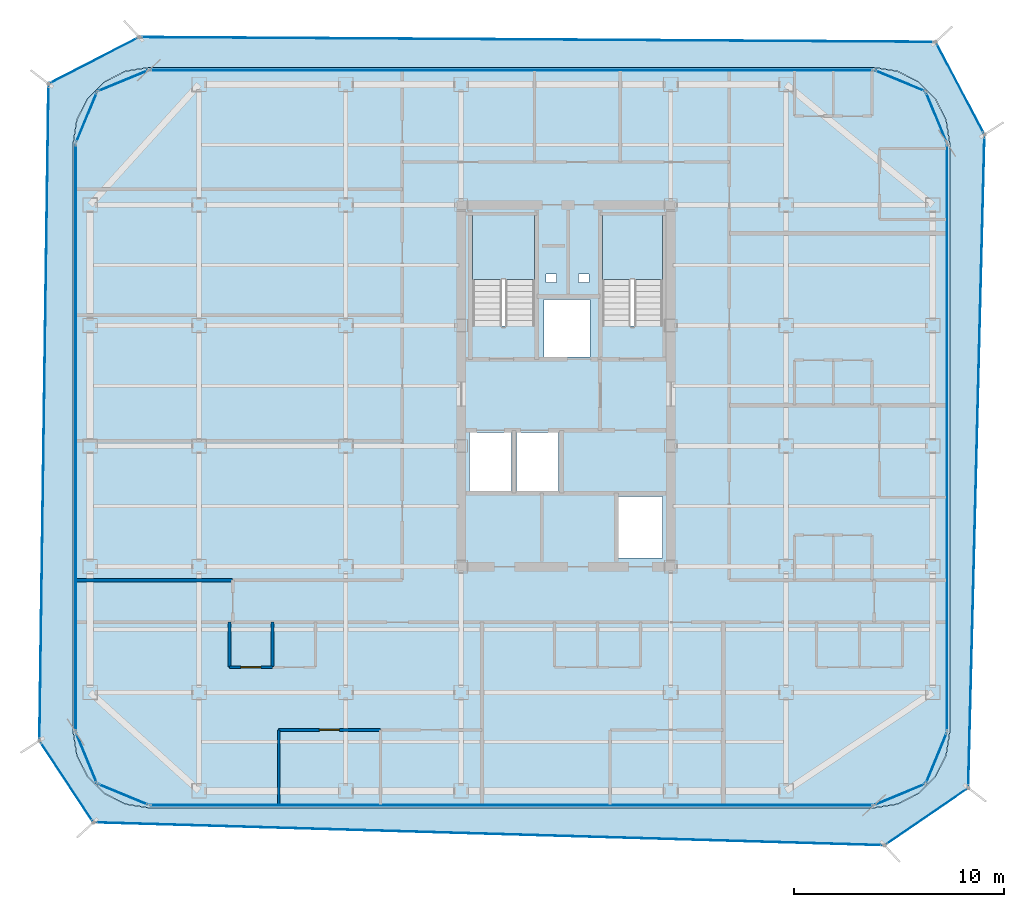
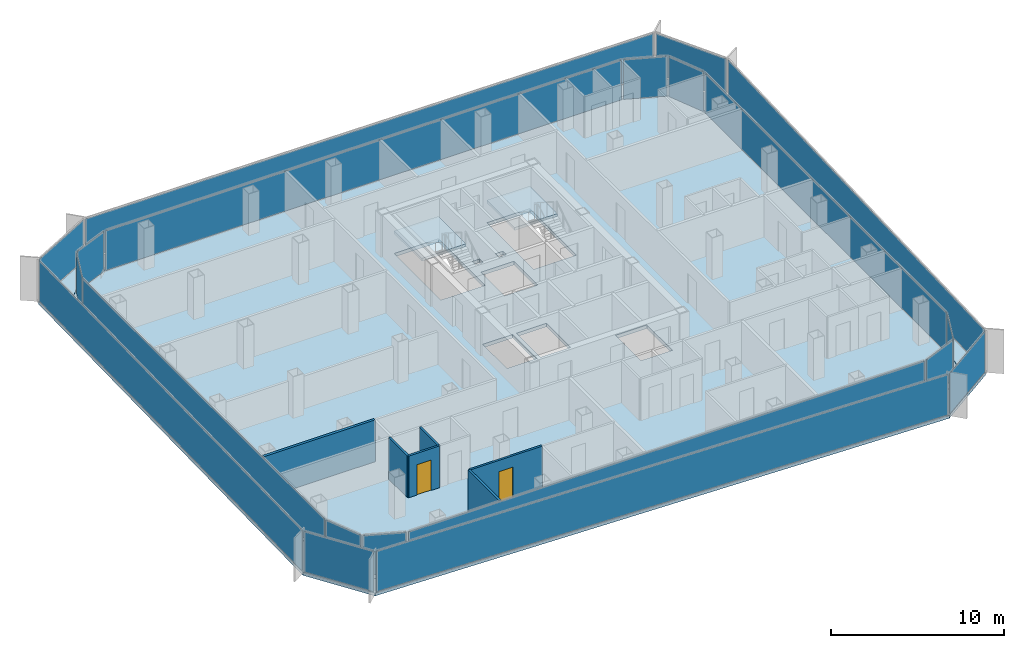
# One storey, part 9 of 15: 20 plates, 6 walls, 4 slabs, 2 doors, 2 openings, 22 elements without a shape of their own.
"""IFC4 building model written with IfcOpenShell, lengths in metres."""

from ifc_helpers import new_model, si_unit, direction, frame, frame_2d, origin, origin_2d, place, context, subcontext, project, spatial, polyline, rectangle, outline, extrude, source, transform, mapped, material, layer, layer_set, type_object, element, fill, aggregate, save


model = new_model("IFC4")

# Units and contexts
model_context = context("Model", 3, precision=1e-05, world=origin(), true_north=direction((0.0, 1.0)))
body_context = subcontext(model_context, "Body", "Model", "MODEL_VIEW")
ifc_project = project(units=[si_unit("LENGTHUNIT", "METRE"), si_unit("AREAUNIT", "SQUARE_METRE"), si_unit("VOLUMEUNIT", "CUBIC_METRE"), si_unit("PLANEANGLEUNIT", "RADIAN"), si_unit("MASSUNIT", "GRAM", prefix="KILO")], contexts=[model_context])

# Site, building, storey
site_placement = place(None, origin())
site = spatial("IfcSite", under=ifc_project, at=site_placement, CompositionType="ELEMENT")
building_placement = place(site_placement, origin())
building = spatial("IfcBuilding", under=site, at=building_placement, Name="Kolveth Station Tower", CompositionType="ELEMENT")
storey_placement = place(building_placement, frame((0.0, 0.0, 202.800048828125)))
storey = spatial("IfcBuildingStorey", under=building, at=storey_placement, Name="L57", CompositionType="ELEMENT", Elevation=202.800048828125)

# Slab
ifc_material_1 = material(Name="Concrete C40/50", Category="concrete")
ifc_layer_1 = layer(ifc_material_1, 0.25)
ifc_layer_set_1 = layer_set([ifc_layer_1], Name="Concrete C40/50")
slab_type_1 = type_object("IfcSlabType", Name="Slab_SF-250", PredefinedType="FLOOR", material=ifc_layer_set_1)
slab_1_placement = place(storey_placement, frame((0.0, 0.0, -0.25)))
element("IfcSlab", 1, at=slab_1_placement, inside=storey, type_object=slab_type_1, Name="L57 Tower Structural Floor Slab", PredefinedType="FLOOR", context=body_context, shape_type="SweptSolid", body=[
    extrude(outline(polyline([(38.199951171875, 0.0), (39.3125, 0.17626953125), (40.31591796875, 0.6875), (41.112548828125, 1.48388671875), (41.623779296875, 2.487548828125), (41.800048828125, 3.60009765625), (41.800048828125, 31.699951171875), (41.623779296875, 32.8125), (41.112548828125, 33.81591796875), (40.31591796875, 34.612548828125), (39.3125, 35.123779296875), (38.199951171875, 35.300048828125), (3.60009765625, 35.300048828125), (2.487548828125, 35.123779296875), (1.48388671875, 34.612548828125), (0.6875, 33.81591796875), (0.17626953125, 32.8125), (0.0, 31.699951171875), (0.0, 3.60009765625), (0.17626953125, 2.487548828125), (0.6875, 1.48388671875), (1.48388671875, 0.6875), (2.487548828125, 0.17626953125), (3.60009765625, 0.0), (38.199951171875, 0.0)]), holes=[polyline([(19.0400390625, 22.985107421875), (22.0, 22.985107421875), (22.0, 28.39990234375), (19.0400390625, 28.39990234375), (19.0400390625, 22.985107421875)]), polyline([(25.239990234375, 22.985107421875), (28.10009765625, 22.985107421875), (28.10009765625, 28.39990234375), (25.239990234375, 28.39990234375), (25.239990234375, 22.985107421875)]), polyline([(18.89990234375, 15.10009765625), (20.89990234375, 15.10009765625), (20.89990234375, 17.89990234375), (18.89990234375, 17.89990234375), (18.89990234375, 15.10009765625)]), polyline([(21.14990234375, 15.10009765625), (23.14990234375, 15.10009765625), (23.14990234375, 17.89990234375), (21.14990234375, 17.89990234375), (21.14990234375, 15.10009765625)]), polyline([(22.449951171875, 21.5), (24.64990234375, 21.5), (24.64990234375, 24.25), (22.449951171875, 24.25), (22.449951171875, 21.5)]), polyline([(26.0, 11.89990234375), (28.10009765625, 11.89990234375), (28.10009765625, 14.85009765625), (26.0, 14.85009765625), (26.0, 11.89990234375)]), polyline([(22.550048828125, 25.050048828125), (23.050048828125, 25.050048828125), (23.050048828125, 25.449951171875), (22.550048828125, 25.449951171875), (22.550048828125, 25.050048828125)]), polyline([(24.10009765625, 25.050048828125), (24.60009765625, 25.050048828125), (24.60009765625, 25.449951171875), (24.10009765625, 25.449951171875), (24.10009765625, 25.050048828125)])]), origin(), (0.0, 0.0, 1.0), 0.25),
])

# Stair, slab
stair_type_1 = type_object("IfcStairType", Name="Stair_ST2", PredefinedType="HALF_TURN_STAIR", material=ifc_material_1)
stair_1_placement = place(storey_placement, origin())
stair_1 = element("IfcStair", 2, at=stair_1_placement, inside=storey, type_object=stair_type_1, Name="L57 Tower Exit Stair ST2", PredefinedType="HALF_TURN_STAIR")
ifc_layer_2 = layer(ifc_material_1, 0.18994140625)
ifc_layer_set_2 = layer_set([ifc_layer_2], Name="Concrete C40/50")
slab_type_2 = type_object("IfcSlabType", Name="Slab_SL-190", PredefinedType="LANDING", material=ifc_layer_set_2)
slab_2_placement = place(storey_placement, frame((0.0, 0.0, 1.39990234375)))
slab_2 = element("IfcSlab", 3, at=slab_2_placement, type_object=slab_type_2, Name="ST2 landing 1", PredefinedType="LANDING", context=body_context, shape_type="SweptSolid", body=[
    extrude(outline(polyline([(28.10009765625, 25.18994140625), (28.10009765625, 28.39990234375), (25.239990234375, 28.39990234375), (25.239990234375, 25.18994140625), (28.10009765625, 25.18994140625)])), origin(), (0.0, 0.0, 1.0), 0.199951171875),
])
aggregate(stair_1, [slab_2])

stair_type_2 = type_object("IfcStairType", Name="Stair_ST1", PredefinedType="HALF_TURN_STAIR", material=ifc_material_1)
stair_2_placement = place(storey_placement, origin())
stair_2 = element("IfcStair", 4, at=stair_2_placement, inside=storey, type_object=stair_type_2, Name="L57 Tower Exit Stair ST1", PredefinedType="HALF_TURN_STAIR")
ifc_layer_3 = layer(ifc_material_1, 0.205078125)
ifc_layer_set_3 = layer_set([ifc_layer_3], Name="Concrete C40/50")
slab_type_3 = type_object("IfcSlabType", Name="Slab_SL-205", PredefinedType="LANDING", material=ifc_layer_set_3)
slab_3_placement = place(storey_placement, frame((0.0, 0.0, 1.39990234375)))
slab_3 = element("IfcSlab", 5, at=slab_3_placement, type_object=slab_type_3, Name="ST1 landing 1", PredefinedType="LANDING", context=body_context, shape_type="SweptSolid", body=[
    extrude(outline(polyline([(22.0, 25.18994140625), (22.0, 28.39990234375), (19.0400390625, 28.39990234375), (19.0400390625, 25.18994140625), (22.0, 25.18994140625)])), origin(), (0.0, 0.0, 1.0), 0.199951171875),
])
aggregate(stair_2, [slab_3])

# Slab
ifc_layer_4 = layer(ifc_material_1, 0.2099609375)
ifc_layer_set_4 = layer_set([ifc_layer_4], Name="Concrete C40/50")
slab_type_4 = type_object("IfcSlabType", Name="Slab_ST-210", PredefinedType="FLOOR", material=ifc_layer_set_4)
slab_4_placement = place(storey_placement, frame((0.0, 0.0, -0.2099609375)))
element("IfcSlab", 6, at=slab_4_placement, inside=storey, type_object=slab_type_4, Name="L57 Double-Skin Cavity Structural Ledger Ring", PredefinedType="FLOOR", context=body_context, shape_type="SweptSolid", body=[
    extrude(outline(polyline([(0.960205078125, -0.70361328125), (-1.614501953125, 3.194091796875), (-1.180419921875, 34.52685546875), (3.1455078125, 36.755615234375), (41.13818359375, 36.526123046875), (43.466796875, 32.1123046875), (42.691162109375, 0.939453125), (38.6962890625, -1.794921875), (0.960205078125, -0.70361328125)]), holes=[polyline([(38.202392578125, -0.014892578125), (39.314697265625, 0.161376953125), (39.3193359375, 0.162841796875), (40.32275390625, 0.674072265625), (40.32666015625, 0.677001953125), (41.123046875, 1.473388671875), (41.1259765625, 1.477294921875), (41.63720703125, 2.480712890625), (41.638671875, 2.485107421875), (41.814697265625, 3.59765625), (41.81494140625, 3.60009765625), (41.81494140625, 31.699951171875), (41.814697265625, 31.702392578125), (41.638671875, 32.814697265625), (41.63720703125, 32.8193359375), (41.1259765625, 33.82275390625), (41.123046875, 33.82666015625), (40.32666015625, 34.623046875), (40.32275390625, 34.6259765625), (39.3193359375, 35.13720703125), (39.314697265625, 35.138671875), (38.202392578125, 35.314697265625), (38.199951171875, 35.31494140625), (3.60009765625, 35.31494140625), (3.59765625, 35.314697265625), (2.485107421875, 35.138671875), (2.480712890625, 35.13720703125), (1.477294921875, 34.6259765625), (1.473388671875, 34.623046875), (0.677001953125, 33.82666015625), (0.674072265625, 33.82275390625), (0.162841796875, 32.8193359375), (0.161376953125, 32.814697265625), (-0.014892578125, 31.702392578125), (-0.014892578125, 31.699951171875), (-0.014892578125, 3.60009765625), (-0.014892578125, 3.59765625), (0.161376953125, 2.485107421875), (0.162841796875, 2.480712890625), (0.674072265625, 1.477294921875), (0.677001953125, 1.473388671875), (1.473388671875, 0.677001953125), (1.477294921875, 0.674072265625), (2.480712890625, 0.162841796875), (2.485107421875, 0.161376953125), (3.59765625, -0.014892578125), (3.60009765625, -0.014892578125), (38.199951171875, -0.014892578125), (38.202392578125, -0.014892578125)])]), origin(), (0.0, 0.0, 1.0), 0.2099609375),
])

# Curtain wall, plate
ifc_material_2 = material(Name="Aluminium 6063-T6 and low-E dark glass", Category="aluminium")
ifc_layer_5 = layer(ifc_material_2, 0.18994140625)
ifc_layer_set_5 = layer_set([ifc_layer_5], Name="Aluminium 6063-T6 and low-E dark glass")
curtain_wall_type_1 = type_object("IfcCurtainWallType", Name="CurtainWall_CW-Z2", PredefinedType="NOTDEFINED", material=ifc_layer_set_5)
curtain_wall_1_placement = place(storey_placement, origin())
curtain_wall_1 = element("IfcCurtainWall", 7, at=curtain_wall_1_placement, inside=storey, type_object=curtain_wall_type_1, Name="L57 Inner Thermal Curtain Wall 1", PredefinedType="NOTDEFINED")
ifc_material_3 = material(Name="Architectural low-E dark glass", Category="glass")
ifc_layer_6 = layer(ifc_material_3, 0.0380859375)
ifc_layer_set_6 = layer_set([ifc_layer_6], Name="Architectural low-E dark glass")
plate_type_1 = type_object("IfcPlateType", Name="Panel_GL2", PredefinedType="CURTAIN_PANEL", material=ifc_layer_set_6)
shared_shape_1 = source(origin(), body_context, "Body", "SweptSolid", [
    extrude(rectangle(XDim=2.517578125, YDim=0.0380859375, at=origin_2d()), origin(), (0.0, 0.0, 1.0), 2.803955078125),
])
plate_1_placement = place(storey_placement, frame((39.430419921875, 0.629638671875, 0.07275390625), z_axis=(0.0, 0.0, 1.0), x_axis=(0.923873600544, 0.382697753087, 0.0)))
plate_1 = element("IfcPlate", 8, at=plate_1_placement, type_object=plate_type_1, Name="CW-Z2 panel 1.1", PredefinedType="CURTAIN_PANEL", context=body_context, shape_type="MappedRepresentation", body=[
    mapped(shared_shape_1, transform((0.0, 0.0, 0.0), x_axis=(1.0, 0.0, 0.0), y_axis=(0.0, 1.0, 0.0), z_axis=(0.0, 0.0, 1.0), scale=1.0)),
])
aggregate(curtain_wall_1, [plate_1])

curtain_wall_2_placement = place(storey_placement, origin())
curtain_wall_2 = element("IfcCurtainWall", 9, at=curtain_wall_2_placement, inside=storey, type_object=curtain_wall_type_1, Name="L57 Inner Thermal Curtain Wall 2", PredefinedType="NOTDEFINED")
plate_2_placement = place(storey_placement, frame((41.17041015625, 2.36962890625, 0.07275390625), z_axis=(0.0, 0.0, 1.0), x_axis=(0.382697753087, 0.923873600544, 0.0)))
plate_2 = element("IfcPlate", 10, at=plate_2_placement, type_object=plate_type_1, Name="CW-Z2 panel 1.1", PredefinedType="CURTAIN_PANEL", context=body_context, shape_type="MappedRepresentation", body=[
    mapped(shared_shape_1, transform((0.0, 0.0, 0.0), x_axis=(1.0, 0.0, 0.0), y_axis=(0.0, 1.0, 0.0), z_axis=(0.0, 0.0, 1.0), scale=1.0)),
])
aggregate(curtain_wall_2, [plate_2])

curtain_wall_3_placement = place(storey_placement, origin())
curtain_wall_3 = element("IfcCurtainWall", 11, at=curtain_wall_3_placement, inside=storey, type_object=curtain_wall_type_1, Name="L57 Inner Thermal Curtain Wall 4", PredefinedType="NOTDEFINED")
plate_3_placement = place(storey_placement, frame((41.17041015625, 32.930419921875, 0.07275390625), z_axis=(0.0, 0.0, 1.0), x_axis=(-0.382697753087, 0.923873600544, 0.0)))
plate_3 = element("IfcPlate", 12, at=plate_3_placement, type_object=plate_type_1, Name="CW-Z2 panel 1.1", PredefinedType="CURTAIN_PANEL", context=body_context, shape_type="MappedRepresentation", body=[
    mapped(shared_shape_1, transform((0.0, 0.0, 0.0), x_axis=(1.0, 0.0, 0.0), y_axis=(0.0, 1.0, 0.0), z_axis=(0.0, 0.0, 1.0), scale=1.0)),
])
aggregate(curtain_wall_3, [plate_3])

curtain_wall_4_placement = place(storey_placement, origin())
curtain_wall_4 = element("IfcCurtainWall", 13, at=curtain_wall_4_placement, inside=storey, type_object=curtain_wall_type_1, Name="L57 Inner Thermal Curtain Wall 5", PredefinedType="NOTDEFINED")
plate_4_placement = place(storey_placement, frame((39.430419921875, 34.67041015625, 0.07275390625), z_axis=(0.0, 0.0, 1.0), x_axis=(-0.923873600544, 0.382697753087, 0.0)))
plate_4 = element("IfcPlate", 14, at=plate_4_placement, type_object=plate_type_1, Name="CW-Z2 panel 1.1", PredefinedType="CURTAIN_PANEL", context=body_context, shape_type="MappedRepresentation", body=[
    mapped(shared_shape_1, transform((0.0, 0.0, 0.0), x_axis=(1.0, 0.0, 0.0), y_axis=(0.0, 1.0, 0.0), z_axis=(0.0, 0.0, 1.0), scale=1.0)),
])
aggregate(curtain_wall_4, [plate_4])

curtain_wall_5_placement = place(storey_placement, origin())
curtain_wall_5 = element("IfcCurtainWall", 15, at=curtain_wall_5_placement, inside=storey, type_object=curtain_wall_type_1, Name="L57 Inner Thermal Curtain Wall 7", PredefinedType="NOTDEFINED")
plate_5_placement = place(storey_placement, frame((2.36962890625, 34.67041015625, 0.07275390625), z_axis=(0.0, 0.0, 1.0), x_axis=(-0.923873600544, -0.382697753087, 0.0)))
plate_5 = element("IfcPlate", 16, at=plate_5_placement, type_object=plate_type_1, Name="CW-Z2 panel 1.1", PredefinedType="CURTAIN_PANEL", context=body_context, shape_type="MappedRepresentation", body=[
    mapped(shared_shape_1, transform((0.0, 0.0, 0.0), x_axis=(1.0, 0.0, 0.0), y_axis=(0.0, 1.0, 0.0), z_axis=(0.0, 0.0, 1.0), scale=1.0)),
])
aggregate(curtain_wall_5, [plate_5])

curtain_wall_6_placement = place(storey_placement, origin())
curtain_wall_6 = element("IfcCurtainWall", 17, at=curtain_wall_6_placement, inside=storey, type_object=curtain_wall_type_1, Name="L57 Inner Thermal Curtain Wall 8", PredefinedType="NOTDEFINED")
plate_6_placement = place(storey_placement, frame((0.629638671875, 32.930419921875, 0.07275390625), z_axis=(0.0, 0.0, 1.0), x_axis=(-0.382697753087, -0.923873600544, 0.0)))
plate_6 = element("IfcPlate", 18, at=plate_6_placement, type_object=plate_type_1, Name="CW-Z2 panel 1.1", PredefinedType="CURTAIN_PANEL", context=body_context, shape_type="MappedRepresentation", body=[
    mapped(shared_shape_1, transform((0.0, 0.0, 0.0), x_axis=(1.0, 0.0, 0.0), y_axis=(0.0, 1.0, 0.0), z_axis=(0.0, 0.0, 1.0), scale=1.0)),
])
aggregate(curtain_wall_6, [plate_6])

curtain_wall_7_placement = place(storey_placement, origin())
curtain_wall_7 = element("IfcCurtainWall", 19, at=curtain_wall_7_placement, inside=storey, type_object=curtain_wall_type_1, Name="L57 Inner Thermal Curtain Wall 10", PredefinedType="NOTDEFINED")
plate_7_placement = place(storey_placement, frame((0.629638671875, 2.36962890625, 0.07275390625), z_axis=(0.0, 0.0, 1.0), x_axis=(0.382697753087, -0.923873600544, 0.0)))
plate_7 = element("IfcPlate", 20, at=plate_7_placement, type_object=plate_type_1, Name="CW-Z2 panel 1.1", PredefinedType="CURTAIN_PANEL", context=body_context, shape_type="MappedRepresentation", body=[
    mapped(shared_shape_1, transform((0.0, 0.0, 0.0), x_axis=(1.0, 0.0, 0.0), y_axis=(0.0, 1.0, 0.0), z_axis=(0.0, 0.0, 1.0), scale=1.0)),
])
aggregate(curtain_wall_7, [plate_7])

curtain_wall_8_placement = place(storey_placement, origin())
curtain_wall_8 = element("IfcCurtainWall", 21, at=curtain_wall_8_placement, inside=storey, type_object=curtain_wall_type_1, Name="L57 Inner Thermal Curtain Wall 11", PredefinedType="NOTDEFINED")
plate_8_placement = place(storey_placement, frame((2.36962890625, 0.629638671875, 0.07275390625), z_axis=(0.0, 0.0, 1.0), x_axis=(0.923873600544, -0.382697753087, 0.0)))
plate_8 = element("IfcPlate", 22, at=plate_8_placement, type_object=plate_type_1, Name="CW-Z2 panel 1.1", PredefinedType="CURTAIN_PANEL", context=body_context, shape_type="MappedRepresentation", body=[
    mapped(shared_shape_1, transform((0.0, 0.0, 0.0), x_axis=(1.0, 0.0, 0.0), y_axis=(0.0, 1.0, 0.0), z_axis=(0.0, 0.0, 1.0), scale=1.0)),
])
aggregate(curtain_wall_8, [plate_8])

curtain_wall_9_placement = place(storey_placement, origin())
curtain_wall_9 = element("IfcCurtainWall", 23, at=curtain_wall_9_placement, inside=storey, type_object=curtain_wall_type_1, Name="L57 Inner Thermal Curtain Wall 3", PredefinedType="NOTDEFINED")
shared_shape_2 = source(origin(), body_context, "Body", "SweptSolid", [
    extrude(rectangle(XDim=27.9541015625, YDim=0.0380859375, at=origin_2d()), origin(), (0.0, 0.0, 1.0), 2.803955078125),
])
plate_9_placement = place(storey_placement, frame((41.679931640625, 17.64990234375, 0.07275390625), z_axis=(0.0, 0.0, 1.0), x_axis=(0.0, 1.0, 0.0)))
plate_9 = element("IfcPlate", 24, at=plate_9_placement, type_object=plate_type_1, Name="CW-Z2 panel 1.1", PredefinedType="CURTAIN_PANEL", context=body_context, shape_type="MappedRepresentation", body=[
    mapped(shared_shape_2, transform((0.0, 0.0, 0.0), x_axis=(1.0, 0.0, 0.0), y_axis=(0.0, 1.0, 0.0), z_axis=(0.0, 0.0, 1.0), scale=1.0)),
])
aggregate(curtain_wall_9, [plate_9])

curtain_wall_10_placement = place(storey_placement, origin())
curtain_wall_10 = element("IfcCurtainWall", 25, at=curtain_wall_10_placement, inside=storey, type_object=curtain_wall_type_1, Name="L57 Inner Thermal Curtain Wall 9", PredefinedType="NOTDEFINED")
plate_10_placement = place(storey_placement, frame((0.1201171875, 17.64990234375, 0.07275390625), z_axis=(0.0, 0.0, 1.0), x_axis=(0.0, -1.0, 0.0)))
plate_10 = element("IfcPlate", 26, at=plate_10_placement, type_object=plate_type_1, Name="CW-Z2 panel 1.1", PredefinedType="CURTAIN_PANEL", context=body_context, shape_type="MappedRepresentation", body=[
    mapped(shared_shape_2, transform((0.0, 0.0, 0.0), x_axis=(1.0, 0.0, 0.0), y_axis=(0.0, 1.0, 0.0), z_axis=(0.0, 0.0, 1.0), scale=1.0)),
])
aggregate(curtain_wall_10, [plate_10])

curtain_wall_11_placement = place(storey_placement, origin())
curtain_wall_11 = element("IfcCurtainWall", 27, at=curtain_wall_11_placement, inside=storey, type_object=curtain_wall_type_1, Name="L57 Inner Thermal Curtain Wall 6", PredefinedType="NOTDEFINED")
shared_shape_3 = source(origin(), body_context, "Body", "SweptSolid", [
    extrude(rectangle(XDim=34.4541015625, YDim=0.0380859375, at=origin_2d()), origin(), (0.0, 0.0, 1.0), 2.803955078125),
])
plate_11_placement = place(storey_placement, frame((20.89990234375, 35.179931640625, 0.07275390625), z_axis=(0.0, 0.0, 1.0), x_axis=(-1.0, 0.0, 0.0)))
plate_11 = element("IfcPlate", 28, at=plate_11_placement, type_object=plate_type_1, Name="CW-Z2 panel 1.1", PredefinedType="CURTAIN_PANEL", context=body_context, shape_type="MappedRepresentation", body=[
    mapped(shared_shape_3, transform((0.0, 0.0, 0.0), x_axis=(1.0, 0.0, 0.0), y_axis=(0.0, 1.0, 0.0), z_axis=(0.0, 0.0, 1.0), scale=1.0)),
])
aggregate(curtain_wall_11, [plate_11])

curtain_wall_12_placement = place(storey_placement, origin())
curtain_wall_12 = element("IfcCurtainWall", 29, at=curtain_wall_12_placement, inside=storey, type_object=curtain_wall_type_1, Name="L57 Inner Thermal Curtain Wall 12", PredefinedType="NOTDEFINED")
plate_12_placement = place(storey_placement, frame((20.89990234375, 0.1201171875, 0.07275390625), z_axis=(0.0, 0.0, 1.0), x_axis=(1.0, 0.0, 0.0)))
plate_12 = element("IfcPlate", 30, at=plate_12_placement, type_object=plate_type_1, Name="CW-Z2 panel 1.1", PredefinedType="CURTAIN_PANEL", context=body_context, shape_type="MappedRepresentation", body=[
    mapped(shared_shape_3, transform((0.0, 0.0, 0.0), x_axis=(1.0, 0.0, 0.0), y_axis=(0.0, 1.0, 0.0), z_axis=(0.0, 0.0, 1.0), scale=1.0)),
])
aggregate(curtain_wall_12, [plate_12])

ifc_material_4 = material(Name="Black anodized aluminium 6063-T6 and dark solar glass", Category="aluminium")
ifc_layer_7 = layer(ifc_material_4, 0.159912109375)
ifc_layer_set_7 = layer_set([ifc_layer_7], Name="Black anodized aluminium 6063-T6 and dark solar glass")
curtain_wall_type_2 = type_object("IfcCurtainWallType", Name="OUTER SKIN CW-OS", PredefinedType="NOTDEFINED", material=ifc_layer_set_7)
curtain_wall_13_placement = place(storey_placement, origin())
curtain_wall_13 = element("IfcCurtainWall", 31, at=curtain_wall_13_placement, inside=storey, type_object=curtain_wall_type_2, Name="L57 Outer Ventilated Skin Curtain Wall 1", PredefinedType="NOTDEFINED")
ifc_layer_8 = layer(ifc_material_3, 0.028076171875)
ifc_layer_set_8 = layer_set([ifc_layer_8], Name="Architectural low-E dark glass")
plate_type_2 = type_object("IfcPlateType", Name="Panel_GL-OS", PredefinedType="CURTAIN_PANEL", material=ifc_layer_set_8)
shared_shape_4 = source(origin(), body_context, "Body", "SweptSolid", [
    extrude(rectangle(XDim=4.675048828125, YDim=0.028076171875, at=origin_2d()), origin(), (0.0, 0.0, 1.0), 2.843994140625),
])
plate_13_placement = place(storey_placement, frame((40.69384765625, -0.427734375, 0.07275390625), z_axis=(0.0, 0.0, 1.0), x_axis=(0.825199830696, 0.564840897439, 0.0)))
plate_13 = element("IfcPlate", 32, at=plate_13_placement, type_object=plate_type_2, Name="CW-OS panel 1.1", PredefinedType="CURTAIN_PANEL", context=body_context, shape_type="MappedRepresentation", body=[
    mapped(shared_shape_4, transform((0.0, 0.0, 0.0), x_axis=(1.0, 0.0, 0.0), y_axis=(0.0, 1.0, 0.0), z_axis=(0.0, 0.0, 1.0), scale=1.0)),
])
aggregate(curtain_wall_13, [plate_13])

curtain_wall_14_placement = place(storey_placement, origin())
curtain_wall_14 = element("IfcCurtainWall", 33, at=curtain_wall_14_placement, inside=storey, type_object=curtain_wall_type_2, Name="L57 Outer Ventilated Skin Curtain Wall 2", PredefinedType="NOTDEFINED")
shared_shape_5 = source(origin(), body_context, "Body", "SweptSolid", [
    extrude(rectangle(XDim=31.0166015625, YDim=0.028076171875, at=origin_2d()), origin(), (0.0, 0.0, 1.0), 2.843994140625),
])
plate_14_placement = place(storey_placement, frame((43.0791015625, 16.52587890625, 0.07275390625), z_axis=(0.0, 0.0, 1.0), x_axis=(0.024876013057, 0.999690544106, 0.0)))
plate_14 = element("IfcPlate", 34, at=plate_14_placement, type_object=plate_type_2, Name="CW-OS panel 1.1", PredefinedType="CURTAIN_PANEL", context=body_context, shape_type="MappedRepresentation", body=[
    mapped(shared_shape_5, transform((0.0, 0.0, 0.0), x_axis=(1.0, 0.0, 0.0), y_axis=(0.0, 1.0, 0.0), z_axis=(0.0, 0.0, 1.0), scale=1.0)),
])
aggregate(curtain_wall_14, [plate_14])

curtain_wall_15_placement = place(storey_placement, origin())
curtain_wall_15 = element("IfcCurtainWall", 35, at=curtain_wall_15_placement, inside=storey, type_object=curtain_wall_type_2, Name="L57 Outer Ventilated Skin Curtain Wall 3", PredefinedType="NOTDEFINED")
shared_shape_6 = source(origin(), body_context, "Body", "SweptSolid", [
    extrude(rectangle(XDim=4.824462890625, YDim=0.028076171875, at=origin_2d()), origin(), (0.0, 0.0, 1.0), 2.843994140625),
])
plate_15_placement = place(storey_placement, frame((42.302490234375, 34.3193359375, 0.07275390625), z_axis=(0.0, 0.0, 1.0), x_axis=(-0.466616687228, 0.884459647017, 0.0)))
plate_15 = element("IfcPlate", 36, at=plate_15_placement, type_object=plate_type_2, Name="CW-OS panel 1.1", PredefinedType="CURTAIN_PANEL", context=body_context, shape_type="MappedRepresentation", body=[
    mapped(shared_shape_6, transform((0.0, 0.0, 0.0), x_axis=(1.0, 0.0, 0.0), y_axis=(0.0, 1.0, 0.0), z_axis=(0.0, 0.0, 1.0), scale=1.0)),
])
aggregate(curtain_wall_15, [plate_15])

curtain_wall_16_placement = place(storey_placement, origin())
curtain_wall_16 = element("IfcCurtainWall", 37, at=curtain_wall_16_placement, inside=storey, type_object=curtain_wall_type_2, Name="L57 Outer Ventilated Skin Curtain Wall 4", PredefinedType="NOTDEFINED")
shared_shape_7 = source(origin(), body_context, "Body", "SweptSolid", [
    extrude(rectangle(XDim=37.82763671875, YDim=0.028076171875, at=origin_2d()), origin(), (0.0, 0.0, 1.0), 2.843994140625),
])
plate_16_placement = place(storey_placement, frame((22.141845703125, 36.640869140625, 0.07275390625), z_axis=(0.0, 0.0, 1.0), x_axis=(-0.999981756061, 0.006040492113, 0.0)))
plate_16 = element("IfcPlate", 38, at=plate_16_placement, type_object=plate_type_2, Name="CW-OS panel 1.1", PredefinedType="CURTAIN_PANEL", context=body_context, shape_type="MappedRepresentation", body=[
    mapped(shared_shape_7, transform((0.0, 0.0, 0.0), x_axis=(1.0, 0.0, 0.0), y_axis=(0.0, 1.0, 0.0), z_axis=(0.0, 0.0, 1.0), scale=1.0)),
])
aggregate(curtain_wall_16, [plate_16])

curtain_wall_17_placement = place(storey_placement, origin())
curtain_wall_17 = element("IfcCurtainWall", 39, at=curtain_wall_17_placement, inside=storey, type_object=curtain_wall_type_2, Name="L57 Outer Ventilated Skin Curtain Wall 5", PredefinedType="NOTDEFINED")
shared_shape_8 = source(origin(), body_context, "Body", "SweptSolid", [
    extrude(rectangle(XDim=4.7001953125, YDim=0.028076171875, at=origin_2d()), origin(), (0.0, 0.0, 1.0), 2.843994140625),
])
plate_17_placement = place(storey_placement, frame((0.982421875, 35.641357421875, 0.07275390625), z_axis=(0.0, 0.0, 1.0), x_axis=(-0.888948950236, -0.458006292395, 0.0)))
plate_17 = element("IfcPlate", 40, at=plate_17_placement, type_object=plate_type_2, Name="CW-OS panel 1.1", PredefinedType="CURTAIN_PANEL", context=body_context, shape_type="MappedRepresentation", body=[
    mapped(shared_shape_8, transform((0.0, 0.0, 0.0), x_axis=(1.0, 0.0, 0.0), y_axis=(0.0, 1.0, 0.0), z_axis=(0.0, 0.0, 1.0), scale=1.0)),
])
aggregate(curtain_wall_17, [plate_17])

curtain_wall_18_placement = place(storey_placement, origin())
curtain_wall_18 = element("IfcCurtainWall", 41, at=curtain_wall_18_placement, inside=storey, type_object=curtain_wall_type_2, Name="L57 Outer Ventilated Skin Curtain Wall 6", PredefinedType="NOTDEFINED")
shared_shape_9 = source(origin(), body_context, "Body", "SweptSolid", [
    extrude(rectangle(XDim=31.169677734375, YDim=0.028076171875, at=origin_2d()), origin(), (0.0, 0.0, 1.0), 2.843994140625),
])
plate_18_placement = place(storey_placement, frame((-1.3974609375, 18.860595703125, 0.07275390625), z_axis=(0.0, 0.0, 1.0), x_axis=(-0.0138468246, -0.999904128129, 0.0)))
plate_18 = element("IfcPlate", 42, at=plate_18_placement, type_object=plate_type_2, Name="CW-OS panel 1.1", PredefinedType="CURTAIN_PANEL", context=body_context, shape_type="MappedRepresentation", body=[
    mapped(shared_shape_9, transform((0.0, 0.0, 0.0), x_axis=(1.0, 0.0, 0.0), y_axis=(0.0, 1.0, 0.0), z_axis=(0.0, 0.0, 1.0), scale=1.0)),
])
aggregate(curtain_wall_18, [plate_18])

curtain_wall_19_placement = place(storey_placement, origin())
curtain_wall_19 = element("IfcCurtainWall", 43, at=curtain_wall_19_placement, inside=storey, type_object=curtain_wall_type_2, Name="L57 Outer Ventilated Skin Curtain Wall 7", PredefinedType="NOTDEFINED")
shared_shape_10 = source(origin(), body_context, "Body", "SweptSolid", [
    extrude(rectangle(XDim=4.50537109375, YDim=0.028076171875, at=origin_2d()), origin(), (0.0, 0.0, 1.0), 2.843994140625),
])
plate_19_placement = place(storey_placement, frame((-0.3271484375, 1.245361328125, 0.07275390625), z_axis=(0.0, 0.0, 1.0), x_axis=(0.551123408707, -0.834423746291, 0.0)))
plate_19 = element("IfcPlate", 44, at=plate_19_placement, type_object=plate_type_2, Name="CW-OS panel 1.1", PredefinedType="CURTAIN_PANEL", context=body_context, shape_type="MappedRepresentation", body=[
    mapped(shared_shape_10, transform((0.0, 0.0, 0.0), x_axis=(1.0, 0.0, 0.0), y_axis=(0.0, 1.0, 0.0), z_axis=(0.0, 0.0, 1.0), scale=1.0)),
])
aggregate(curtain_wall_19, [plate_19])

curtain_wall_20_placement = place(storey_placement, origin())
curtain_wall_20 = element("IfcCurtainWall", 45, at=curtain_wall_20_placement, inside=storey, type_object=curtain_wall_type_2, Name="L57 Outer Ventilated Skin Curtain Wall 8", PredefinedType="NOTDEFINED")
shared_shape_11 = source(origin(), body_context, "Body", "SweptSolid", [
    extrude(rectangle(XDim=37.586181640625, YDim=0.028076171875, at=origin_2d()), origin(), (0.0, 0.0, 1.0), 2.843994140625),
])
plate_20_placement = place(storey_placement, frame((19.828369140625, -1.249267578125, 0.07275390625), z_axis=(0.0, 0.0, 1.0), x_axis=(0.9995821048, -0.028907019269, 0.0)))
plate_20 = element("IfcPlate", 46, at=plate_20_placement, type_object=plate_type_2, Name="CW-OS panel 1.1", PredefinedType="CURTAIN_PANEL", context=body_context, shape_type="MappedRepresentation", body=[
    mapped(shared_shape_11, transform((0.0, 0.0, 0.0), x_axis=(1.0, 0.0, 0.0), y_axis=(0.0, 1.0, 0.0), z_axis=(0.0, 0.0, 1.0), scale=1.0)),
])
aggregate(curtain_wall_20, [plate_20])

# Wall, opening, door
ifc_material_5 = material(Name="Moisture-resistant gypsum partition")
ifc_layer_9 = layer(ifc_material_5, 0.135009765625)
ifc_layer_set_9 = layer_set([ifc_layer_9], Name="Moisture-resistant gypsum partition")
wall_type_1 = type_object("IfcWallType", Name="Wall_IW-135", PredefinedType="PARTITIONING", material=ifc_layer_set_9)
wall_1_placement = place(storey_placement, frame((7.449951171875, 6.699951171875, 0.0), z_axis=(0.0, 0.0, 1.0), x_axis=(1.0, 0.0, 0.0)))
wall_1 = element("IfcWall", 47, at=wall_1_placement, inside=storey, type_object=wall_type_1, Name="L57 Partition Wall WL-L57-A1-IBHK", PredefinedType="PARTITIONING", context=body_context, shape_type="SweptSolid", body=[
    extrude(rectangle(XDim=2.050048828125, YDim=0.135009765625, at=frame_2d((1.02490234375, 0.0))), origin(), (0.0, 0.0, 1.0), 2.949951171875),
])
opening_1_placement = place(wall_1_placement, frame((0.544921875, 0.0, 0.0)))
opening_1 = element("IfcOpeningElement", 48, at=opening_1_placement, cuts=wall_1, Name="Opening ID1", PredefinedType="OPENING", context=body_context, shape_type="SweptSolid", body=[
    extrude(rectangle(XDim=0.949951171875, YDim=2.14990234375, at=frame_2d((0.47509765625, 1.074951171875))), frame((0.0, 0.077392578125, 0.0), z_axis=(0.0, -1.0, 0.0), x_axis=(1.0, 0.0, 0.0)), (0.0, 0.0, 1.0), 0.155029296875),
])
ifc_material_6 = material(Name="Acoustic hardwood leaf and aluminium frame", Category="wood")
door_type = type_object("IfcDoorType", Name="Door_ID1", OperationType="NOTDEFINED", PredefinedType="DOOR", material=ifc_material_6)
door_1_placement = place(opening_1_placement, origin())
door_1 = element("IfcDoor", 49, at=door_1_placement, inside=storey, type_object=door_type, Name="Penthouse Flat L57-A1 Kitchen Door", OperationType="SINGLE_SWING_RIGHT", OverallHeight=2.14990234375, OverallWidth=0.949951171875, PredefinedType="DOOR", context=body_context, shape_type="SweptSolid", body=[
    extrude(rectangle(XDim=0.949951171875, YDim=2.14990234375, at=frame_2d((0.47509765625, 1.074951171875))), frame((0.0, 0.02490234375, 0.0), z_axis=(0.0, -1.0, 0.0), x_axis=(1.0, 0.0, 0.0)), (0.0, 0.0, 1.0), 0.050048828125),
])
fill(opening_1, door_1)

# Walls
for number, where, z_axis, x_axis, name in (
    (50, (7.449951171875, 6.699951171875, 0.0), (0.0, 0.0, 1.0), (0.0, 1.0, 0.0), "L57 Partition Wall WL-L57-A1-IBV0"),
    (51, (9.5, 6.699951171875, 0.0), (0.0, 0.0, 1.0), (0.0, 1.0, 0.0), "L57 Partition Wall WL-L57-A1-IBV1"),
):
    element("IfcWall", number, at=place(storey_placement, frame(where, z_axis=z_axis, x_axis=x_axis)), inside=storey, type_object=wall_type_1, Name=name, PredefinedType="PARTITIONING", context=body_context, shape_type="SweptSolid", body=[
        extrude(rectangle(XDim=2.150146484375, YDim=0.135009765625, at=frame_2d((1.0751953125, 0.0))), origin(), (0.0, 0.0, 1.0), 2.949951171875),
    ])
wall_2_placement = place(storey_placement, frame((9.797119140625, 0.159912109375, 0.0), z_axis=(0.0, 0.0, 1.0), x_axis=(0.0, 1.0, 0.0)))
element("IfcWall", 52, at=wall_2_placement, inside=storey, type_object=wall_type_1, Name="L57 Partition Wall WL-L57-A1-BDV0", PredefinedType="PARTITIONING", context=body_context, shape_type="SweptSolid", body=[
    extrude(rectangle(XDim=3.550048828125, YDim=0.135009765625, at=frame_2d((1.77490234375, 0.0))), origin(), (0.0, 0.0, 1.0), 2.949951171875),
])

# Wall, opening, door
wall_3_placement = place(storey_placement, frame((9.797119140625, 3.7099609375, 0.0), z_axis=(0.0, 0.0, 1.0), x_axis=(1.0, 0.0, 0.0)))
wall_3 = element("IfcWall", 53, at=wall_3_placement, inside=storey, type_object=wall_type_1, Name="L57 Partition Wall WL-L57-A1-BDH1", PredefinedType="PARTITIONING", context=body_context, shape_type="SweptSolid", body=[
    extrude(rectangle(XDim=4.851318359375, YDim=0.135009765625, at=frame_2d((2.42578125, 0.0))), origin(), (0.0, 0.0, 1.0), 2.949951171875),
])
opening_2_placement = place(wall_3_placement, frame((1.946044921875, 0.0, 0.0)))
opening_2 = element("IfcOpeningElement", 54, at=opening_2_placement, cuts=wall_3, Name="Opening ID1", PredefinedType="OPENING", context=body_context, shape_type="SweptSolid", body=[
    extrude(rectangle(XDim=0.949951171875, YDim=2.14990234375, at=frame_2d((0.47509765625, 1.074951171875))), frame((0.0, 0.077392578125, 0.0), z_axis=(0.0, -1.0, 0.0), x_axis=(1.0, 0.0, 0.0)), (0.0, 0.0, 1.0), 0.155029296875),
])
door_2_placement = place(opening_2_placement, frame((0.949951171875, 0.0, 0.0), z_axis=(0.0, 0.0, 1.0), x_axis=(-1.0, 0.0, 0.0)))
door_2 = element("IfcDoor", 55, at=door_2_placement, inside=storey, type_object=door_type, Name="Penthouse Flat L57-A1 Bedroom 1 Door", OperationType="SINGLE_SWING_RIGHT", OverallHeight=2.14990234375, OverallWidth=0.949951171875, PredefinedType="DOOR", context=body_context, shape_type="SweptSolid", body=[
    extrude(rectangle(XDim=0.949951171875, YDim=2.14990234375, at=frame_2d((0.47509765625, 1.074951171875))), frame((0.0, 0.02490234375, 0.0), z_axis=(0.0, -1.0, 0.0), x_axis=(1.0, 0.0, 0.0)), (0.0, 0.0, 1.0), 0.050048828125),
])
fill(opening_2, door_2)

# Wall
ifc_material_7 = material(Name="Acoustic double-stud gypsum partition")
ifc_layer_10 = layer(ifc_material_7, 0.1650390625)
ifc_layer_set_10 = layer_set([ifc_layer_10], Name="Acoustic double-stud gypsum partition")
wall_type_2 = type_object("IfcWallType", Name="Wall_IW-165", PredefinedType="PARTITIONING", material=ifc_layer_set_10)
wall_4_placement = place(storey_placement, frame((0.159912109375, 10.85009765625, 0.0), z_axis=(0.0, 0.0, 1.0), x_axis=(1.0, 0.0, 0.0)))
element("IfcWall", 56, at=wall_4_placement, inside=storey, type_object=wall_type_2, Name="L57 Partition Wall WL-L57-WSTN", PredefinedType="PARTITIONING", context=body_context, shape_type="SweptSolid", body=[
    extrude(rectangle(XDim=7.440185546875, YDim=0.1650390625, at=frame_2d((3.72021484375, 0.0))), origin(), (0.0, 0.0, 1.0), 2.949951171875),
])

save(model, "model.ifc")
